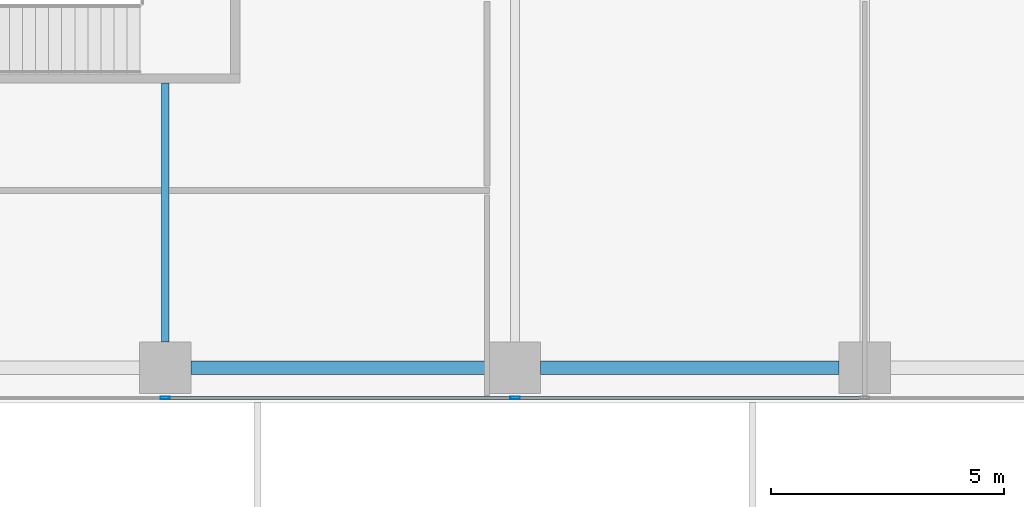
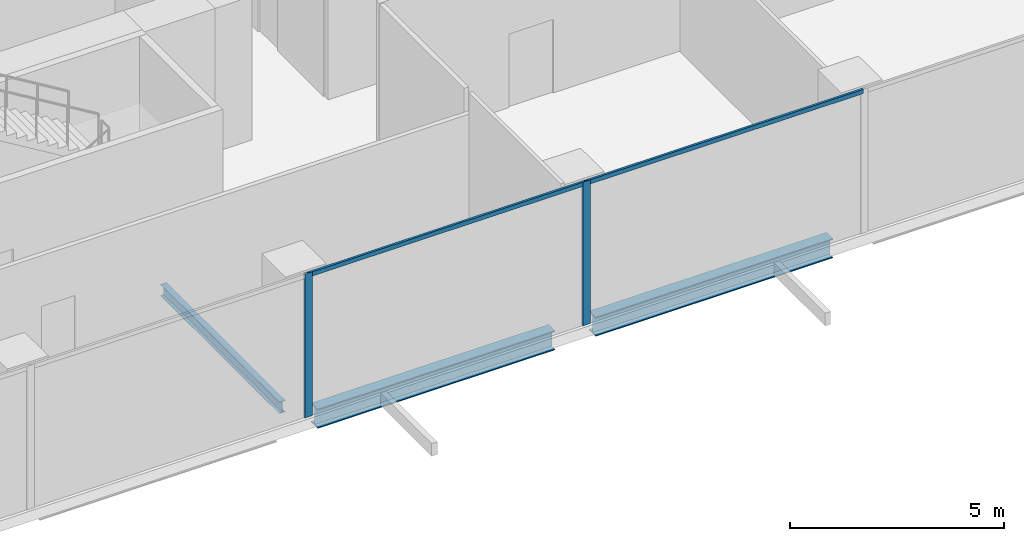
# One storey, part 5 of 35: 4 members, 3 beams, 1 element without a shape of its own.
"""IFC4 building model written with IfcOpenShell, lengths in metres."""

from ifc_helpers import new_model, si_unit, direction, frame, origin, origin_2d, place, context, subcontext, project, spatial, hollow_rectangle, i_section, extrude, source, transform, mapped, material, material_profile, profile_set, type_object, element, aggregate, save


model = new_model("IFC4")

# Units and contexts
model_context = context("Model", 3, precision=1e-05, world=origin(), true_north=direction((0.0, 1.0)))
body_context = subcontext(model_context, "Body", "Model", "MODEL_VIEW")
ifc_project = project(units=[si_unit("LENGTHUNIT", "METRE"), si_unit("AREAUNIT", "SQUARE_METRE"), si_unit("VOLUMEUNIT", "CUBIC_METRE"), si_unit("PLANEANGLEUNIT", "RADIAN"), si_unit("MASSUNIT", "GRAM", prefix="KILO")], contexts=[model_context])

# Site, building, storey
site_placement = place(None, origin())
site = spatial("IfcSite", under=ifc_project, at=site_placement, CompositionType="ELEMENT")
building_placement = place(site_placement, origin())
building = spatial("IfcBuilding", under=site, at=building_placement, Name="Khomas Fold Tower", CompositionType="ELEMENT")
storey_placement = place(building_placement, frame((0.0, 0.0, 132.300048828125)))
storey = spatial("IfcBuildingStorey", under=building, at=storey_placement, Name="L28", CompositionType="ELEMENT", Elevation=132.300048828125)

# Beams
ifc_material_1 = material(Name="Steel S355", Category="steel")
ifc_material_profile_1 = material_profile(ifc_material_1, i_section(OverallWidth=0.300048828125, OverallDepth=0.550048828125, WebThickness=0.014892578125, FlangeThickness=0.029052734375, at=origin_2d()), Name="HE 550 B")
ifc_profile_set_1 = profile_set([ifc_material_profile_1], Name="Steel S355")
beam_type_1 = type_object("IfcBeamType", Name="HE 550 B spandrel SB2", PredefinedType="SPANDREL", material=ifc_profile_set_1)
shared_shape_1 = source(origin(), body_context, "Body", "SweptSolid", [
    extrude(i_section(OverallWidth=0.300048828125, OverallDepth=0.550048828125, WebThickness=0.014892578125, FlangeThickness=0.029052734375, at=origin_2d()), origin(), (0.0, 0.0, 1.0), 6.39990234375),
])
for number, where, z_axis, x_axis, name in (
    (1, (20.050048828125, 2.25, -0.574951171875), (1.0, 0.0, 0.0), (0.0, 1.0, 0.0), "SB2"),
    (2, (27.550048828125, 2.25, -0.574951171875), (1.0, 0.0, 0.0), (0.0, 1.0, 0.0), "SB2"),
):
    element("IfcBeam", number, at=place(storey_placement, frame(where, z_axis=z_axis, x_axis=x_axis)), inside=storey, type_object=beam_type_1, Name=name, PredefinedType="SPANDREL", context=body_context, shape_type="MappedRepresentation", body=[
        mapped(shared_shape_1, transform((0.0, 0.0, 0.0))),
    ])
ifc_material_2 = material(Name="Steel S355", Category="steel")
ifc_material_profile_2 = material_profile(ifc_material_2, i_section(OverallWidth=0.159912109375, OverallDepth=0.330078125, WebThickness=0.007568359375, FlangeThickness=0.011474609375, at=origin_2d()), Name="IPE 330")
ifc_profile_set_2 = profile_set([ifc_material_profile_2], Name="Steel S355")
beam_type_2 = type_object("IfcBeamType", Name="IPE 330 beam JB1", PredefinedType="BEAM", material=ifc_profile_set_2)
shared_shape_2 = source(origin(), body_context, "Body", "SweptSolid", [
    extrude(i_section(OverallWidth=0.159912109375, OverallDepth=0.330078125, WebThickness=0.007568359375, FlangeThickness=0.011474609375, at=origin_2d()), origin(), (0.0, 0.0, 1.0), 5.550048828125),
])
beam_placement = place(storey_placement, frame((19.5, 2.800048828125, -0.465087890625), z_axis=(0.0, 1.0, 0.0), x_axis=(-1.0, 0.0, 0.0)))
element("IfcBeam", 3, at=beam_placement, inside=storey, type_object=beam_type_2, Name="JB1", PredefinedType="BEAM", context=body_context, shape_type="MappedRepresentation", body=[
    mapped(shared_shape_2, transform((0.0, 0.0, 0.0))),
])

# Curtain wall, members
ifc_material_3 = material(Name="Aluminium framed double glazing", Category="aluminium")
curtain_wall_type = type_object("IfcCurtainWallType", Name="SK-Unitised clear-glass wall, growing floors CW1", PredefinedType="NOTDEFINED", material=ifc_material_3)
curtain_wall_placement = place(storey_placement, origin())
curtain_wall = element("IfcCurtainWall", 4, at=curtain_wall_placement, inside=storey, type_object=curtain_wall_type, Name="CW1 run L28 00-0", PredefinedType="NOTDEFINED")
ifc_material_4 = material(Name="Aluminium", Category="aluminium")
ifc_material_profile_3 = material_profile(ifc_material_4, hollow_rectangle(XDim=0.06005859375, YDim=0.1201171875, WallThickness=0.00390625, at=origin_2d()), Name="SK-Unitised clear-glass wall, growing floors transom CW1-T")
ifc_profile_set_3 = profile_set([ifc_material_profile_3], Name="Aluminium")
member_type_1 = type_object("IfcMemberType", Name="SK-Unitised clear-glass wall, growing floors transom CW1-T", PredefinedType="USERDEFINED", material=ifc_profile_set_3)
shared_shape_3 = source(origin(), body_context, "Body", "SweptSolid", [
    extrude(hollow_rectangle(XDim=0.06005859375, YDim=0.1201171875, WallThickness=0.00390625, at=origin_2d()), origin(), (0.0, 0.0, 1.0), 7.43994140625),
])
member_1_placement = place(storey_placement, frame((19.530029296875, 1.60009765625, 4.0400390625), z_axis=(1.0, 0.0, 0.0), x_axis=(0.0, 1.0, 0.0)))
member_1 = element("IfcMember", 5, at=member_1_placement, type_object=member_type_1, Name="CW1 transom 4", ObjectType="TRANSOM", PredefinedType="USERDEFINED", context=body_context, shape_type="MappedRepresentation", body=[
    mapped(shared_shape_3, transform((0.0, 0.0, 0.0))),
])
member_2_placement = place(storey_placement, frame((27.030029296875, 1.60009765625, 4.0400390625), z_axis=(1.0, 0.0, 0.0), x_axis=(0.0, 1.0, 0.0)))
member_2 = element("IfcMember", 6, at=member_2_placement, type_object=member_type_1, Name="CW1 transom 5", ObjectType="TRANSOM", PredefinedType="USERDEFINED", context=body_context, shape_type="MappedRepresentation", body=[
    mapped(shared_shape_3, transform((0.0, 0.0, 0.0))),
])
ifc_material_5 = material(Name="Aluminium", Category="aluminium")
ifc_material_profile_4 = material_profile(ifc_material_5, hollow_rectangle(XDim=0.06005859375, YDim=0.199951171875, WallThickness=0.00390625, at=origin_2d()), Name="SK-Unitised clear-glass wall, growing floors mullion CW1-M")
ifc_profile_set_4 = profile_set([ifc_material_profile_4], Name="Aluminium")
member_type_2 = type_object("IfcMemberType", Name="SK-Unitised clear-glass wall, growing floors mullion CW1-M", PredefinedType="MULLION", material=ifc_profile_set_4)
shared_shape_4 = source(origin(), body_context, "Body", "SweptSolid", [
    extrude(hollow_rectangle(XDim=0.06005859375, YDim=0.199951171875, WallThickness=0.00390625, at=origin_2d()), origin(), (0.0, 0.0, 1.0), 4.099853515625),
])
member_3_placement = place(storey_placement, frame((19.5, 1.60009765625, 0.0), z_axis=(0.0, 0.0, 1.0), x_axis=(0.0, 1.0, 0.0)))
member_3 = element("IfcMember", 7, at=member_3_placement, type_object=member_type_2, Name="CW1 mullion 4", PredefinedType="MULLION", context=body_context, shape_type="MappedRepresentation", body=[
    mapped(shared_shape_4, transform((0.0, 0.0, 0.0))),
])
member_4_placement = place(storey_placement, frame((27.0, 1.60009765625, 0.0), z_axis=(0.0, 0.0, 1.0), x_axis=(0.0, 1.0, 0.0)))
member_4 = element("IfcMember", 8, at=member_4_placement, type_object=member_type_2, Name="CW1 mullion 5", PredefinedType="MULLION", context=body_context, shape_type="MappedRepresentation", body=[
    mapped(shared_shape_4, transform((0.0, 0.0, 0.0))),
])
aggregate(curtain_wall, [member_3, member_4, member_1, member_2])

save(model, "model.ifc")
